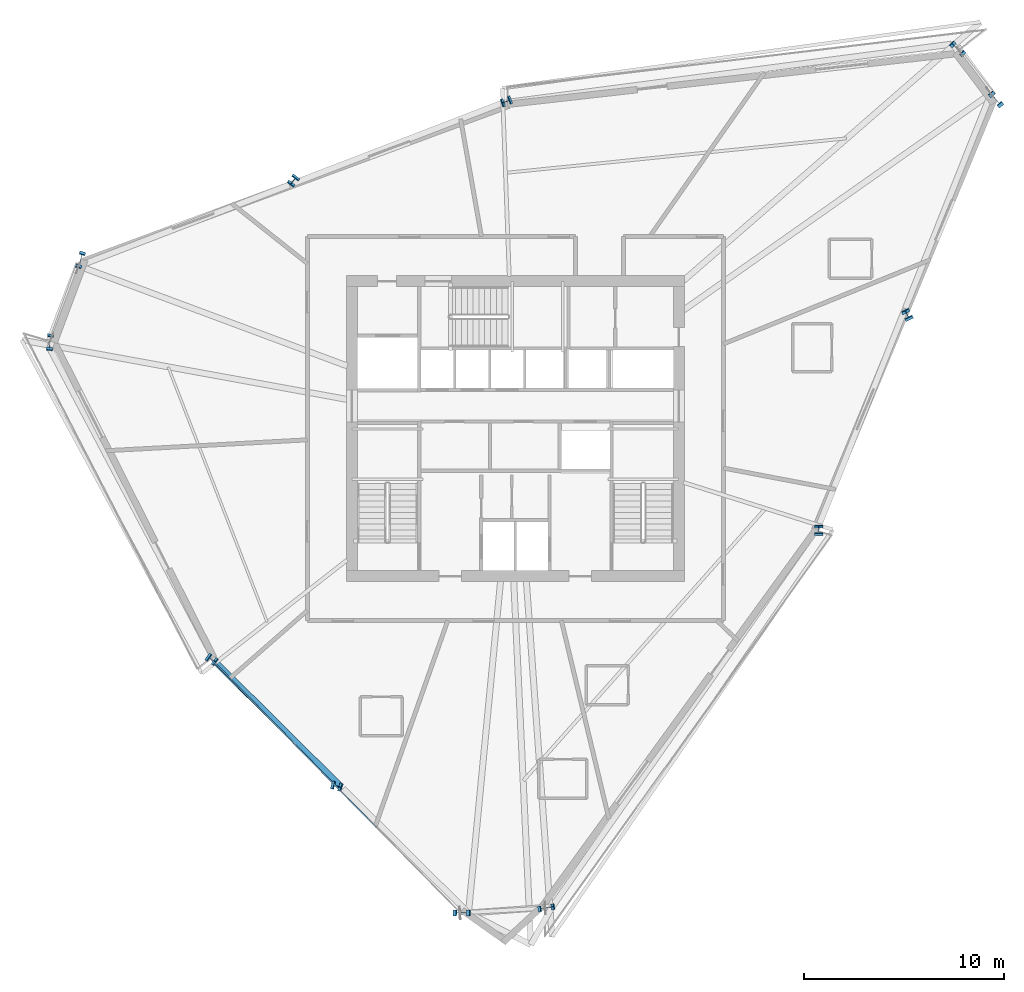
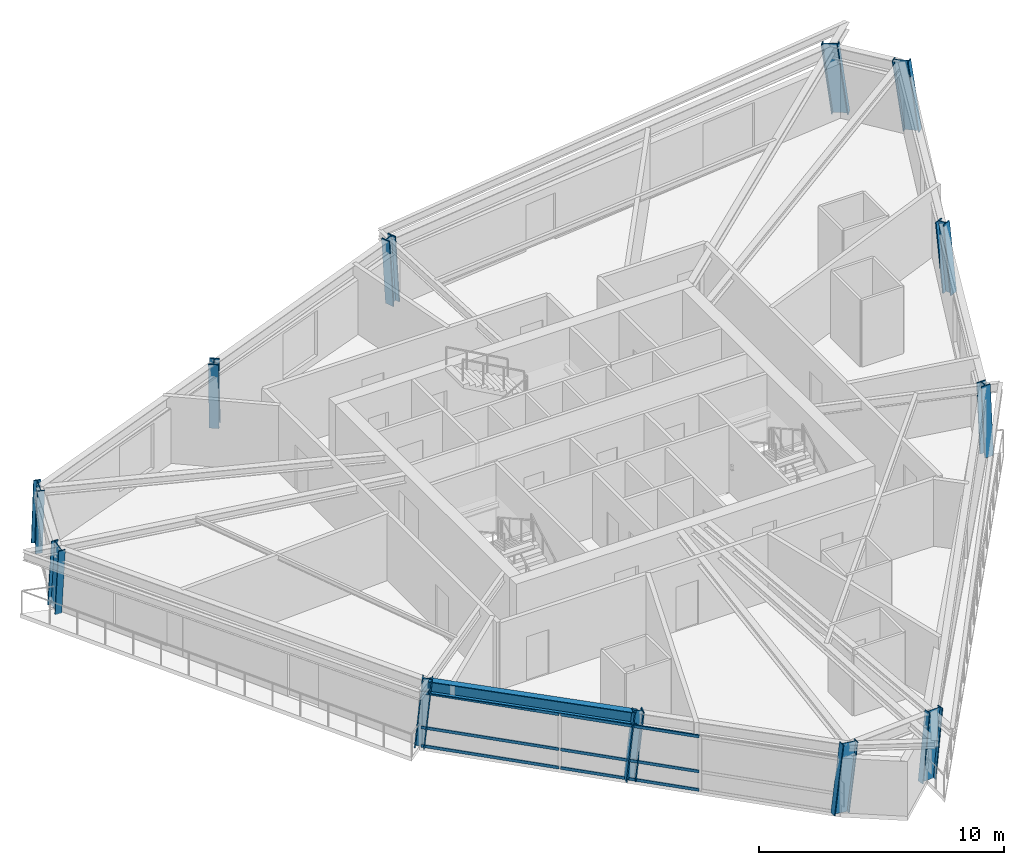
# One storey, part 1 of 14: 12 columns, 6 members, 1 beam, 1 element without a shape of its own.
"""IFC4 building model written with IfcOpenShell, lengths in metres."""

import ifcopenshell
import ifcopenshell.guid

model = None  # the IFC model being written
_history = None  # IfcOwnerHistory: only IFC2X3 demands one
_inside = {}  # id of a spatial element -> (the spatial element, [elements in it])
_under = {}  # id of a project, library or spatial element -> (it, [spatial elements below it])
_declared = {}  # id of a project -> (the project, [libraries it declares])
_typed = {}  # id of a type object -> (the type object, [elements of that type])
_made_of = {}  # id of a material, layer set ... -> (it, [elements and type objects made of it])


def new_model(schema):
    """Start an empty IFC model of exactly this schema.

    Asked for "IFC4X3", IfcOpenShell would pick the latest addendum, in which some entities
    have other attributes; the version numbers below select the first issue.
    IFC2X3 requires an IfcOwnerHistory on every rooted entity: one is made here for all.
    """
    global model, _history
    if schema == "IFC4X3":
        model = ifcopenshell.file(schema_version=(4, 3, 0, 0))
    else:
        model = ifcopenshell.file(schema=schema)
    _inside.clear()
    _under.clear()
    _declared.clear()
    _typed.clear()
    _made_of.clear()
    _history = None
    if model.schema == "IFC2X3":
        org = make("IfcOrganization", Name="unknown")
        user = make(
            "IfcPersonAndOrganization",
            ThePerson=make("IfcPerson", FamilyName="unknown"),
            TheOrganization=org,
        )
        app = make(
            "IfcApplication",
            ApplicationDeveloper=org,
            Version="unknown",
            ApplicationFullName="unknown",
            ApplicationIdentifier="unknown",
        )
        _history = make(
            "IfcOwnerHistory",
            OwningUser=user,
            OwningApplication=app,
            ChangeAction="ADDED",
            CreationDate=0,
        )
    return model


def make(cls, **values):
    """One entity of the class cls with the attributes given. An attribute that is None is left unset."""
    return model.create_entity(
        cls, **{name: value for name, value in values.items() if value is not None}
    )


def rooted(cls, **values):
    """An entity with a GlobalId (a new one), such as an element, a storey or a relation."""
    return make(cls, GlobalId=ifcopenshell.guid.new(), OwnerHistory=_history, **values)


def si_unit(unit_type, name, prefix=None):
    """IfcSIUnit, for example si_unit("LENGTHUNIT", "METRE", prefix="MILLI")."""
    return make("IfcSIUnit", UnitType=unit_type, Prefix=prefix, Name=name)


def assignment(units):
    """IfcUnitAssignment: the units of a project."""
    return None if units is None else make("IfcUnitAssignment", Units=units)


def point(xyz):
    """IfcCartesianPoint."""
    return None if xyz is None else make("IfcCartesianPoint", Coordinates=xyz)


def direction(xyz):
    """IfcDirection."""
    return None if xyz is None else make("IfcDirection", DirectionRatios=xyz)


def frame(location, z_axis=None, x_axis=None):
    """IfcAxis2Placement3D, a coordinate frame: its origin and axes. An axis left out is left unset."""
    return make(
        "IfcAxis2Placement3D",
        Location=point(location),
        Axis=direction(z_axis),
        RefDirection=direction(x_axis),
    )


def frame_2d(location, x_axis=None):
    """IfcAxis2Placement2D, a coordinate frame in the plane: its origin and x axis."""
    return make(
        "IfcAxis2Placement2D", Location=point(location), RefDirection=direction(x_axis)
    )


def origin():
    """The frame at (0, 0, 0) with its axes left unset."""
    return frame((0.0, 0.0, 0.0))


def origin_2d():
    """The frame at (0, 0) in the plane with its x axis left unset."""
    return frame_2d((0.0, 0.0))


def place(relative_to, where):
    """IfcLocalPlacement: puts the frame where relative to a parent placement (None: the world)."""
    return make(
        "IfcLocalPlacement", PlacementRelTo=relative_to, RelativePlacement=where
    )


def context(
    kind, dimensions, precision=None, world=None, true_north=None, identifier=None
):
    """IfcGeometricRepresentationContext, for example the 3D "Model" context."""
    return make(
        "IfcGeometricRepresentationContext",
        ContextIdentifier=identifier,
        ContextType=kind,
        CoordinateSpaceDimension=dimensions,
        Precision=precision,
        WorldCoordinateSystem=world,
        TrueNorth=true_north,
    )


def subcontext(parent, identifier, kind, view, scale=None):
    """IfcGeometricRepresentationSubContext, for example "Body" below "Model"."""
    return make(
        "IfcGeometricRepresentationSubContext",
        ContextIdentifier=identifier,
        ContextType=kind,
        ParentContext=parent,
        TargetScale=scale,
        TargetView=view,
    )


def project(units=None, contexts=None):
    """IfcProject with its units and contexts."""
    return rooted(
        "IfcProject",
        Name="project",
        RepresentationContexts=contexts,
        UnitsInContext=assignment(units),
    )


def spatial(cls, under=None, at=None, **own):
    """A site, building, storey or space (cls), placed at a placement, below another one or the project."""
    s = rooted(cls, ObjectPlacement=at, **own)
    if under is not None:
        _under.setdefault(under.id(), (under, []))[1].append(s)
    return s


def profile(cls, at=None, kind="AREA", **sizes):
    """A parametric profile (cls). Its sizes go by their IFC names, for example OverallWidth=200.0."""
    return make(cls, ProfileType=kind, Position=at, **sizes)


def hollow_rectangle(**sizes):
    """IfcRectangleHollowProfileDef."""
    return profile("IfcRectangleHollowProfileDef", **sizes)


def i_section(**sizes):
    """IfcIShapeProfileDef."""
    return profile("IfcIShapeProfileDef", **sizes)


def extrude(swept, where, along, depth):
    """IfcExtrudedAreaSolid: the profile swept, set in the frame where, extruded along a direction by depth."""
    return make(
        "IfcExtrudedAreaSolid",
        SweptArea=swept,
        Position=where,
        ExtrudedDirection=direction(along),
        Depth=depth,
    )


def shape(context_of_items, identifier, shape_type, items):
    """IfcShapeRepresentation: the items that make up one representation, for example the "Body"."""
    return make(
        "IfcShapeRepresentation",
        ContextOfItems=context_of_items,
        RepresentationIdentifier=identifier,
        RepresentationType=shape_type,
        Items=items,
    )


def source(mapping_origin, context_of_items, identifier, shape_type, items):
    """IfcRepresentationMap: a shape defined once, which mapped items show again and again."""
    return make(
        "IfcRepresentationMap",
        MappingOrigin=mapping_origin,
        MappedRepresentation=shape(context_of_items, identifier, shape_type, items),
    )


def transform(
    local_origin,
    x_axis=None,
    y_axis=None,
    z_axis=None,
    scale=None,
    scale2=None,
    scale3=None,
    uniform=True,
):
    """IfcCartesianTransformationOperator3D, or its non-uniform kind. x_axis, y_axis, z_axis: its Axis1, 2, 3."""
    if uniform:
        return make(
            "IfcCartesianTransformationOperator3D",
            Axis1=direction(x_axis),
            Axis2=direction(y_axis),
            LocalOrigin=point(local_origin),
            Scale=scale,
            Axis3=direction(z_axis),
        )
    return make(
        "IfcCartesianTransformationOperator3DnonUniform",
        Axis1=direction(x_axis),
        Axis2=direction(y_axis),
        LocalOrigin=point(local_origin),
        Scale=scale,
        Axis3=direction(z_axis),
        Scale2=scale2,
        Scale3=scale3,
    )


def mapped(mapping_source, mapping_target):
    """IfcMappedItem: shows the shape of a source again, moved by a transform."""
    return make(
        "IfcMappedItem", MappingSource=mapping_source, MappingTarget=mapping_target
    )


def material(Name=None, Category=None):
    """IfcMaterial."""
    return make("IfcMaterial", Name=Name, Category=Category)


def material_profile(
    of_material, cross_section, Name=None, Category=None, Priority=None
):
    """IfcMaterialProfile: a cross section and its material."""
    return make(
        "IfcMaterialProfile",
        Name=Name,
        Material=of_material,
        Profile=cross_section,
        Priority=Priority,
        Category=Category,
    )


def profile_set(profiles, Name=None, composite=None):
    """IfcMaterialProfileSet."""
    return make(
        "IfcMaterialProfileSet",
        Name=Name,
        MaterialProfiles=profiles,
        CompositeProfile=composite,
    )


def made_of(thing, what):
    """Note that an element or type object is made of a material, layer set ...; save() writes the relation."""
    if what is not None:
        _made_of.setdefault(what.id(), (what, []))[1].append(thing)
    return thing


def type_object(cls, material=None, **own):
    """A type object (cls), such as IfcWallType, which elements share."""
    return made_of(rooted(cls, **own), material)


def element(
    cls,
    number,
    at=None,
    inside=None,
    cuts=None,
    type_object=None,
    material=None,
    context=None,
    identifier="Body",
    shape_type=None,
    held_by="IfcProductDefinitionShape",
    body=None,
    shapes=None,
    **own,
):
    """One element of the class cls, such as IfcWall. Its Tag is "e" and its number.

    at: its placement. inside: the storey or other place that contains it. cuts: it is an
    opening in that element (IfcRelVoidsElement). A single representation is given by context,
    identifier, shape_type and body (its items); several are given by shapes. held_by: the class
    of the entity that holds the representations. save() writes the other relations.
    """
    e = rooted(cls, Tag="e%d" % number, ObjectPlacement=at, **own)
    if body is not None:
        shapes = [shape(context, identifier, shape_type, body)]
    if shapes is not None:
        e.Representation = make(held_by, Representations=shapes)
    if inside is not None:
        _inside.setdefault(inside.id(), (inside, []))[1].append(e)
    if cuts is not None:
        rooted(
            "IfcRelVoidsElement", RelatingBuildingElement=cuts, RelatedOpeningElement=e
        )
    if type_object is not None:
        _typed.setdefault(type_object.id(), (type_object, []))[1].append(e)
    return made_of(e, material)


def aggregate(whole, parts):
    """IfcRelAggregates: a whole, such as a stair, and the parts it consists of."""
    return rooted("IfcRelAggregates", RelatingObject=whole, RelatedObjects=parts)


def save(model, path):
    """Write the relations noted so far, then the file.

    IfcRelAggregates (storeys below a building ...), IfcRelContainedInSpatialStructure (elements
    in a storey), IfcRelDefinesByType, IfcRelAssociatesMaterial and IfcRelDeclares: one each for
    every whole, place, type object, material and project.
    """
    for whole, parts in _under.values():
        aggregate(whole, parts)
    for where, things in _inside.values():
        rooted(
            "IfcRelContainedInSpatialStructure",
            RelatedElements=things,
            RelatingStructure=where,
        )
    for kind, things in _typed.values():
        rooted("IfcRelDefinesByType", RelatedObjects=things, RelatingType=kind)
    for what, things in _made_of.values():
        rooted("IfcRelAssociatesMaterial", RelatedObjects=things, RelatingMaterial=what)
    for by, libraries in _declared.values():
        rooted("IfcRelDeclares", RelatingContext=by, RelatedDefinitions=libraries)
    model.write(path)


model = new_model("IFC4")

# Units and contexts
model_context = context("Model", 3, precision=1e-05, world=origin(), true_north=direction((0.0, 1.0)))
body_context = subcontext(model_context, "Body", "Model", "MODEL_VIEW")
ifc_project = project(units=[si_unit("LENGTHUNIT", "METRE"), si_unit("AREAUNIT", "SQUARE_METRE"), si_unit("VOLUMEUNIT", "CUBIC_METRE"), si_unit("PLANEANGLEUNIT", "RADIAN"), si_unit("MASSUNIT", "GRAM", prefix="KILO")], contexts=[model_context])

# Site, building, storey
site_placement = place(None, origin())
site = spatial("IfcSite", under=ifc_project, at=site_placement, CompositionType="ELEMENT")
building_placement = place(site_placement, origin())
building = spatial("IfcBuilding", under=site, at=building_placement, Name="Olszyna Solenne Hotel", CompositionType="ELEMENT")
storey_placement = place(building_placement, frame((0.0, 0.0, 185.64990234375)))
storey = spatial("IfcBuildingStorey", under=building, at=storey_placement, Name="L49", CompositionType="ELEMENT", Elevation=185.64990234375)

# Columns
ifc_material_1 = material(Name="Steel S460M", Category="steel")
ifc_material_profile_1 = material_profile(ifc_material_1, i_section(OverallWidth=0.303955078125, OverallDepth=0.716064453125, WebThickness=0.02099609375, FlangeThickness=0.0400390625, at=origin_2d()), Name="HEM 700", Category="load-bearing")
ifc_profile_set_1 = profile_set([ifc_material_profile_1], Name="Steel S460M")
column_type_1 = type_object("IfcColumnType", Name="COL-K2", PredefinedType="COLUMN", material=ifc_profile_set_1)
shared_shape_1 = source(origin(), body_context, "Body", "SweptSolid", [
    extrude(i_section(OverallWidth=0.303955078125, OverallDepth=0.716064453125, WebThickness=0.02099609375, FlangeThickness=0.0400390625, at=origin_2d()), origin(), (0.0, 0.0, 1.0), 3.404052734375),
])
column_1_placement = place(storey_placement, frame((39.480224609375, 2.630126953125, 0.0), z_axis=(0.103926658279, 0.016998356116, 0.994439694294), x_axis=(-0.161416205557, 0.986886421319, 0.0)))
element("IfcColumn", 1, at=column_1_placement, inside=storey, type_object=column_type_1, Name="Perimeter framed-tube column COL-K2 C-L49-10", PredefinedType="COLUMN", context=body_context, shape_type="MappedRepresentation", body=[
    mapped(shared_shape_1, transform((0.0, 0.0, 0.0), x_axis=(1.0, 0.0, 0.0), y_axis=(0.0, 1.0, 0.0), z_axis=(0.0, 0.0, 1.0), scale=1.0)),
])
ifc_material_profile_2 = material_profile(ifc_material_1, i_section(OverallWidth=0.412109375, OverallDepth=0.43505859375, WebThickness=0.031494140625, FlangeThickness=0.050048828125, at=origin_2d()), Name="HD 400x463", Category="load-bearing")
ifc_profile_set_2 = profile_set([ifc_material_profile_2], Name="Steel S460M")
column_type_2 = type_object("IfcColumnType", Name="COL-T3", PredefinedType="COLUMN", material=ifc_profile_set_2)
shared_shape_2 = source(origin(), body_context, "Body", "SweptSolid", [
    extrude(i_section(OverallWidth=0.412109375, OverallDepth=0.43505859375, WebThickness=0.031494140625, FlangeThickness=0.050048828125, at=origin_2d()), origin(), (0.0, 0.0, 1.0), 3.4033203125),
])
column_2_placement = place(storey_placement, frame((57.62109375, 32.226318359375, 0.0), z_axis=(-0.045049424917, 0.093470383228, 0.99460235108), x_axis=(-0.900831457079, -0.434168960127, 0.0)))
element("IfcColumn", 2, at=column_2_placement, inside=storey, type_object=column_type_2, Name="Perimeter framed-tube column COL-T3 C-L49-12", PredefinedType="COLUMN", context=body_context, shape_type="MappedRepresentation", body=[
    mapped(shared_shape_2, transform((0.0, 0.0, 0.0), x_axis=(1.0, 0.0, 0.0), y_axis=(0.0, 1.0, 0.0), z_axis=(0.0, 0.0, 1.0), scale=1.0)),
])
shared_shape_3 = source(origin(), body_context, "Body", "SweptSolid", [
    extrude(i_section(OverallWidth=0.412109375, OverallDepth=0.43505859375, WebThickness=0.031494140625, FlangeThickness=0.050048828125, at=origin_2d()), origin(), (0.0, 0.0, 1.0), 3.397705078125),
])
column_3_placement = place(storey_placement, frame((26.939697265625, 39.03369140625, 0.0), z_axis=(-0.051951924281, -0.068694383973, 0.996284135763), x_axis=(0.797590801114, -0.603198900843, 0.0)))
element("IfcColumn", 3, at=column_3_placement, inside=storey, type_object=column_type_2, Name="Perimeter framed-tube column COL-T3 C-L49-04", PredefinedType="COLUMN", context=body_context, shape_type="MappedRepresentation", body=[
    mapped(shared_shape_3, transform((0.0, 0.0, 0.0), x_axis=(1.0, 0.0, 0.0), y_axis=(0.0, 1.0, 0.0), z_axis=(0.0, 0.0, 1.0), scale=1.0)),
])
shared_shape_4 = source(origin(), body_context, "Body", "SweptSolid", [
    extrude(i_section(OverallWidth=0.303955078125, OverallDepth=0.716064453125, WebThickness=0.02099609375, FlangeThickness=0.0400390625, at=origin_2d()), origin(), (0.0, 0.0, 1.0), 3.40283203125),
])
column_4_placement = place(storey_placement, frame((14.743896484375, 30.9775390625, 0.0), z_axis=(-0.007461607315, -0.101951384567, 0.994761398327), x_axis=(0.997332477554, -0.072992665493, 0.0)))
element("IfcColumn", 4, at=column_4_placement, inside=storey, type_object=column_type_1, Name="Perimeter framed-tube column COL-K2 C-L49-06", PredefinedType="COLUMN", context=body_context, shape_type="MappedRepresentation", body=[
    mapped(shared_shape_4, transform((0.0, 0.0, 0.0), x_axis=(1.0, 0.0, 0.0), y_axis=(0.0, 1.0, 0.0), z_axis=(0.0, 0.0, 1.0), scale=1.0)),
])
shared_shape_5 = source(origin(), body_context, "Body", "SweptSolid", [
    extrude(i_section(OverallWidth=0.303955078125, OverallDepth=0.716064453125, WebThickness=0.02099609375, FlangeThickness=0.0400390625, at=origin_2d()), origin(), (0.0, 0.0, 1.0), 3.40966796875),
])
column_5_placement = place(storey_placement, frame((35.246826171875, 2.393310546875, 0.0), z_axis=(0.120006206564, -0.001432054971, 0.992772108595), x_axis=(0.011932324669, 0.99992880728, 0.0)))
element("IfcColumn", 5, at=column_5_placement, inside=storey, type_object=column_type_1, Name="Perimeter framed-tube column COL-K2 C-L49-09", PredefinedType="COLUMN", context=body_context, shape_type="MappedRepresentation", body=[
    mapped(shared_shape_5, transform((0.0, 0.0, 0.0), x_axis=(1.0, 0.0, 0.0), y_axis=(0.0, 1.0, 0.0), z_axis=(0.0, 0.0, 1.0), scale=1.0)),
])
shared_shape_6 = source(origin(), body_context, "Body", "SweptSolid", [
    extrude(i_section(OverallWidth=0.303955078125, OverallDepth=0.716064453125, WebThickness=0.02099609375, FlangeThickness=0.0400390625, at=origin_2d()), origin(), (0.0, 0.0, 1.0), 3.413818359375),
])
column_6_placement = place(storey_placement, frame((60.165283203125, 45.5166015625, 0.0), z_axis=(-0.094542362552, 0.08882119084, 0.991550572458), x_axis=(-0.684710959005, -0.72881472448, 0.0)))
element("IfcColumn", 6, at=column_6_placement, inside=storey, type_object=column_type_1, Name="Perimeter framed-tube column COL-K2 C-L49-02", PredefinedType="COLUMN", context=body_context, shape_type="MappedRepresentation", body=[
    mapped(shared_shape_6, transform((0.0, 0.0, 0.0), x_axis=(1.0, 0.0, 0.0), y_axis=(0.0, 1.0, 0.0), z_axis=(0.0, 0.0, 1.0), scale=1.0)),
])
shared_shape_7 = source(origin(), body_context, "Body", "SweptSolid", [
    extrude(i_section(OverallWidth=0.303955078125, OverallDepth=0.716064453125, WebThickness=0.02099609375, FlangeThickness=0.0400390625, at=origin_2d()), origin(), (0.0, 0.0, 1.0), 3.4072265625),
])
column_7_placement = place(storey_placement, frame((16.28515625, 35.1005859375, 0.0), z_axis=(-0.031742425805, -0.109557943692, 0.993473439694), x_axis=(0.960498006582, -0.278286865216, 0.0)))
element("IfcColumn", 7, at=column_7_placement, inside=storey, type_object=column_type_1, Name="Perimeter framed-tube column COL-K2 C-L49-05", PredefinedType="COLUMN", context=body_context, shape_type="MappedRepresentation", body=[
    mapped(shared_shape_7, transform((0.0, 0.0, 0.0), x_axis=(1.0, 0.0, 0.0), y_axis=(0.0, 1.0, 0.0), z_axis=(0.0, 0.0, 1.0), scale=1.0)),
])
shared_shape_8 = source(origin(), body_context, "Body", "SweptSolid", [
    extrude(i_section(OverallWidth=0.412109375, OverallDepth=0.43505859375, WebThickness=0.031494140625, FlangeThickness=0.050048828125, at=origin_2d()), origin(), (0.0, 0.0, 1.0), 3.399658203125),
])
column_8_placement = place(storey_placement, frame((22.77490234375, 15.0927734375, 0.0), z_axis=(0.075836030709, -0.053070858612, 0.995706975175), x_axis=(0.573358197873, 0.819304813199, 0.0)))
element("IfcColumn", 8, at=column_8_placement, inside=storey, type_object=column_type_2, Name="Perimeter framed-tube column COL-T3 C-L49-07", PredefinedType="COLUMN", context=body_context, shape_type="MappedRepresentation", body=[
    mapped(shared_shape_8, transform((0.0, 0.0, 0.0), x_axis=(1.0, 0.0, 0.0), y_axis=(0.0, 1.0, 0.0), z_axis=(0.0, 0.0, 1.0), scale=1.0)),
])
shared_shape_9 = source(origin(), body_context, "Body", "SweptSolid", [
    extrude(i_section(OverallWidth=0.412109375, OverallDepth=0.43505859375, WebThickness=0.031494140625, FlangeThickness=0.050048828125, at=origin_2d()), origin(), (0.0, 0.0, 1.0), 3.39599609375),
])
column_9_placement = place(storey_placement, frame((53.16357421875, 21.470703125, 0.0), z_axis=(0.0, 0.080230966511, 0.996776299885), x_axis=(-1.0, 0.0, 0.0)))
element("IfcColumn", 9, at=column_9_placement, inside=storey, type_object=column_type_2, Name="Perimeter framed-tube column COL-T3 C-L49-11", PredefinedType="COLUMN", context=body_context, shape_type="MappedRepresentation", body=[
    mapped(shared_shape_9, transform((0.0, 0.0, 0.0), x_axis=(1.0, 0.0, 0.0), y_axis=(0.0, 1.0, 0.0), z_axis=(0.0, 0.0, 1.0), scale=1.0)),
])
shared_shape_10 = source(origin(), body_context, "Body", "SweptSolid", [
    extrude(i_section(OverallWidth=0.303955078125, OverallDepth=0.716064453125, WebThickness=0.02099609375, FlangeThickness=0.0400390625, at=origin_2d()), origin(), (0.0, 0.0, 1.0), 3.418212890625),
])
column_10_placement = place(storey_placement, frame((62.078857421875, 42.98193359375, 0.0), z_axis=(-0.089706079585, 0.106418836451, 0.990266555294), x_axis=(-0.764591737576, -0.644514914359, 0.0)))
element("IfcColumn", 10, at=column_10_placement, inside=storey, type_object=column_type_1, Name="Perimeter framed-tube column COL-K2 C-L49-01", PredefinedType="COLUMN", context=body_context, shape_type="MappedRepresentation", body=[
    mapped(shared_shape_10, transform((0.0, 0.0, 0.0), x_axis=(1.0, 0.0, 0.0), y_axis=(0.0, 1.0, 0.0), z_axis=(0.0, 0.0, 1.0), scale=1.0)),
])
shared_shape_11 = source(origin(), body_context, "Body", "SweptSolid", [
    extrude(i_section(OverallWidth=0.412109375, OverallDepth=0.43505859375, WebThickness=0.031494140625, FlangeThickness=0.050048828125, at=origin_2d()), origin(), (0.0, 0.0, 1.0), 3.39501953125),
])
column_11_placement = place(storey_placement, frame((37.593994140625, 42.967041015625, 0.0), z_axis=(-0.072052690953, -0.027684916185, 0.997016527016), x_axis=(0.35866692441, -0.933465605866, 0.0)))
element("IfcColumn", 11, at=column_11_placement, inside=storey, type_object=column_type_2, Name="Perimeter framed-tube column COL-T3 C-L49-03", PredefinedType="COLUMN", context=body_context, shape_type="MappedRepresentation", body=[
    mapped(shared_shape_11, transform((0.0, 0.0, 0.0), x_axis=(1.0, 0.0, 0.0), y_axis=(0.0, 1.0, 0.0), z_axis=(0.0, 0.0, 1.0), scale=1.0)),
])
shared_shape_12 = source(origin(), body_context, "Body", "SweptSolid", [
    extrude(i_section(OverallWidth=0.412109375, OverallDepth=0.43505859375, WebThickness=0.031494140625, FlangeThickness=0.050048828125, at=origin_2d()), origin(), (0.0, 0.0, 1.0), 3.402587890625),
])
column_12_placement = place(storey_placement, frame((29.010986328125, 8.7431640625, 0.0), z_axis=(0.097939250659, -0.027265139377, 0.994818835445), x_axis=(0.26818982634, 0.963366086723, 0.0)))
element("IfcColumn", 12, at=column_12_placement, inside=storey, type_object=column_type_2, Name="Perimeter framed-tube column COL-T3 C-L49-08", PredefinedType="COLUMN", context=body_context, shape_type="MappedRepresentation", body=[
    mapped(shared_shape_12, transform((0.0, 0.0, 0.0), x_axis=(1.0, 0.0, 0.0), y_axis=(0.0, 1.0, 0.0), z_axis=(0.0, 0.0, 1.0), scale=1.0)),
])

# Beam
ifc_material_2 = material(Name="Steel S355J2", Category="steel")
ifc_material_profile_3 = material_profile(ifc_material_2, i_section(OverallWidth=0.300048828125, OverallDepth=0.60009765625, WebThickness=0.015380859375, FlangeThickness=0.030029296875, at=origin_2d()), Name="HEB 600", Category="load-bearing")
ifc_profile_set_3 = profile_set([ifc_material_profile_3], Name="Steel S355J2")
beam_type = type_object("IfcBeamType", Name="BM-S2", PredefinedType="BEAM", material=ifc_profile_set_3)
shared_shape_13 = source(origin(), body_context, "Body", "SweptSolid", [
    extrude(i_section(OverallWidth=0.300048828125, OverallDepth=0.60009765625, WebThickness=0.015380859375, FlangeThickness=0.030029296875, at=origin_2d()), origin(), (0.0, 0.0, 1.0), 8.77099609375),
])
beam_placement = place(storey_placement, frame((23.0751953125, 14.8701171875, 3.030029296875), z_axis=(0.709898644778, -0.704303850722, 0.0), x_axis=(0.704303850722, 0.709898644778, 0.0)))
element("IfcBeam", 13, at=beam_placement, inside=storey, type_object=beam_type, Name="Perimeter spandrel beam BM-S2 B-L49-1458", PredefinedType="BEAM", context=body_context, shape_type="MappedRepresentation", body=[
    mapped(shared_shape_13, transform((0.0, 0.0, 0.0), x_axis=(1.0, 0.0, 0.0), y_axis=(0.0, 1.0, 0.0), z_axis=(0.0, 0.0, 1.0), scale=1.0)),
])

# Curtain wall, members
ifc_material_3 = material(Name="Anodised bronze aluminium", Category="aluminium")
curtain_wall_type = type_object("IfcCurtainWallType", Name="CW-SYS-4", PredefinedType="NOTDEFINED", material=ifc_material_3)
curtain_wall_placement = place(storey_placement, origin())
curtain_wall = element("IfcCurtainWall", 14, at=curtain_wall_placement, inside=storey, type_object=curtain_wall_type, Name="Unitised curtain wall CW-SYS-4 CW-L49-01", PredefinedType="NOTDEFINED")
ifc_material_profile_4 = material_profile(ifc_material_3, hollow_rectangle(XDim=0.06494140625, YDim=0.139892578125, WallThickness=0.00390625, at=origin_2d()), Name="TRAN 140x65x4", Category="load-bearing")
ifc_profile_set_4 = profile_set([ifc_material_profile_4], Name="Anodised bronze aluminium")
member_type = type_object("IfcMemberType", Name="CW-T2", PredefinedType="USERDEFINED", material=ifc_profile_set_4)
shared_shape_14 = source(origin(), body_context, "Body", "SweptSolid", [
    extrude(hollow_rectangle(XDim=0.06494140625, YDim=0.139892578125, WallThickness=0.00390625, at=origin_2d()), origin(), (0.0, 0.0, 1.0), 5.835693359375),
])
member_1_placement = place(storey_placement, frame((22.820556640625, 15.04638671875, 0.03271484375), z_axis=(0.700676832107, -0.713478785213, 0.0), x_axis=(0.713478785213, 0.700676832107, 0.0)))
member_1 = element("IfcMember", 15, at=member_1_placement, type_object=member_type, Name="Curtain-wall transom CW-T2 CT-L49-01-01", ObjectType="TRANSOM", PredefinedType="USERDEFINED", context=body_context, shape_type="MappedRepresentation", body=[
    mapped(shared_shape_14, transform((0.0, 0.0, 0.0), x_axis=(1.0, 0.0, 0.0), y_axis=(0.0, 1.0, 0.0), z_axis=(0.0, 0.0, 1.0), scale=1.0)),
])
member_2_placement = place(storey_placement, frame((22.820556640625, 15.04638671875, 0.9501953125), z_axis=(0.700676832107, -0.713478785213, 0.0), x_axis=(0.713478785213, 0.700676832107, 0.0)))
member_2 = element("IfcMember", 16, at=member_2_placement, type_object=member_type, Name="Curtain-wall transom CW-T2 CT-L49-01-02", ObjectType="TRANSOM", PredefinedType="USERDEFINED", context=body_context, shape_type="MappedRepresentation", body=[
    mapped(shared_shape_14, transform((0.0, 0.0, 0.0), x_axis=(1.0, 0.0, 0.0), y_axis=(0.0, 1.0, 0.0), z_axis=(0.0, 0.0, 1.0), scale=1.0)),
])
member_3_placement = place(storey_placement, frame((22.820556640625, 15.04638671875, 2.689697265625), z_axis=(0.700676832107, -0.713478785213, 0.0), x_axis=(0.713478785213, 0.700676832107, 0.0)))
member_3 = element("IfcMember", 17, at=member_3_placement, type_object=member_type, Name="Curtain-wall transom CW-T2 CT-L49-01-03", ObjectType="TRANSOM", PredefinedType="USERDEFINED", context=body_context, shape_type="MappedRepresentation", body=[
    mapped(shared_shape_14, transform((0.0, 0.0, 0.0), x_axis=(1.0, 0.0, 0.0), y_axis=(0.0, 1.0, 0.0), z_axis=(0.0, 0.0, 1.0), scale=1.0)),
])
shared_shape_15 = source(origin(), body_context, "Body", "SweptSolid", [
    extrude(hollow_rectangle(XDim=0.06494140625, YDim=0.139892578125, WallThickness=0.00390625, at=origin_2d()), origin(), (0.0, 0.0, 1.0), 5.8681640625),
])
member_4_placement = place(storey_placement, frame((26.955078125, 10.83642578125, 0.03271484375), z_axis=(0.700691754025, -0.713464130732, 0.0), x_axis=(0.713464130732, 0.700691754025, 0.0)))
member_4 = element("IfcMember", 18, at=member_4_placement, type_object=member_type, Name="Curtain-wall transom CW-T2 CT-L49-01-04", ObjectType="TRANSOM", PredefinedType="USERDEFINED", context=body_context, shape_type="MappedRepresentation", body=[
    mapped(shared_shape_15, transform((0.0, 0.0, 0.0), x_axis=(1.0, 0.0, 0.0), y_axis=(0.0, 1.0, 0.0), z_axis=(0.0, 0.0, 1.0), scale=1.0)),
])
member_5_placement = place(storey_placement, frame((26.955078125, 10.83642578125, 0.9501953125), z_axis=(0.700691754025, -0.713464130732, 0.0), x_axis=(0.713464130732, 0.700691754025, 0.0)))
member_5 = element("IfcMember", 19, at=member_5_placement, type_object=member_type, Name="Curtain-wall transom CW-T2 CT-L49-01-05", ObjectType="TRANSOM", PredefinedType="USERDEFINED", context=body_context, shape_type="MappedRepresentation", body=[
    mapped(shared_shape_15, transform((0.0, 0.0, 0.0), x_axis=(1.0, 0.0, 0.0), y_axis=(0.0, 1.0, 0.0), z_axis=(0.0, 0.0, 1.0), scale=1.0)),
])
member_6_placement = place(storey_placement, frame((26.955078125, 10.83642578125, 2.689697265625), z_axis=(0.700691754025, -0.713464130732, 0.0), x_axis=(0.713464130732, 0.700691754025, 0.0)))
member_6 = element("IfcMember", 20, at=member_6_placement, type_object=member_type, Name="Curtain-wall transom CW-T2 CT-L49-01-06", ObjectType="TRANSOM", PredefinedType="USERDEFINED", context=body_context, shape_type="MappedRepresentation", body=[
    mapped(shared_shape_15, transform((0.0, 0.0, 0.0), x_axis=(1.0, 0.0, 0.0), y_axis=(0.0, 1.0, 0.0), z_axis=(0.0, 0.0, 1.0), scale=1.0)),
])
aggregate(curtain_wall, [member_1, member_2, member_3, member_4, member_5, member_6])

save(model, "model.ifc")
